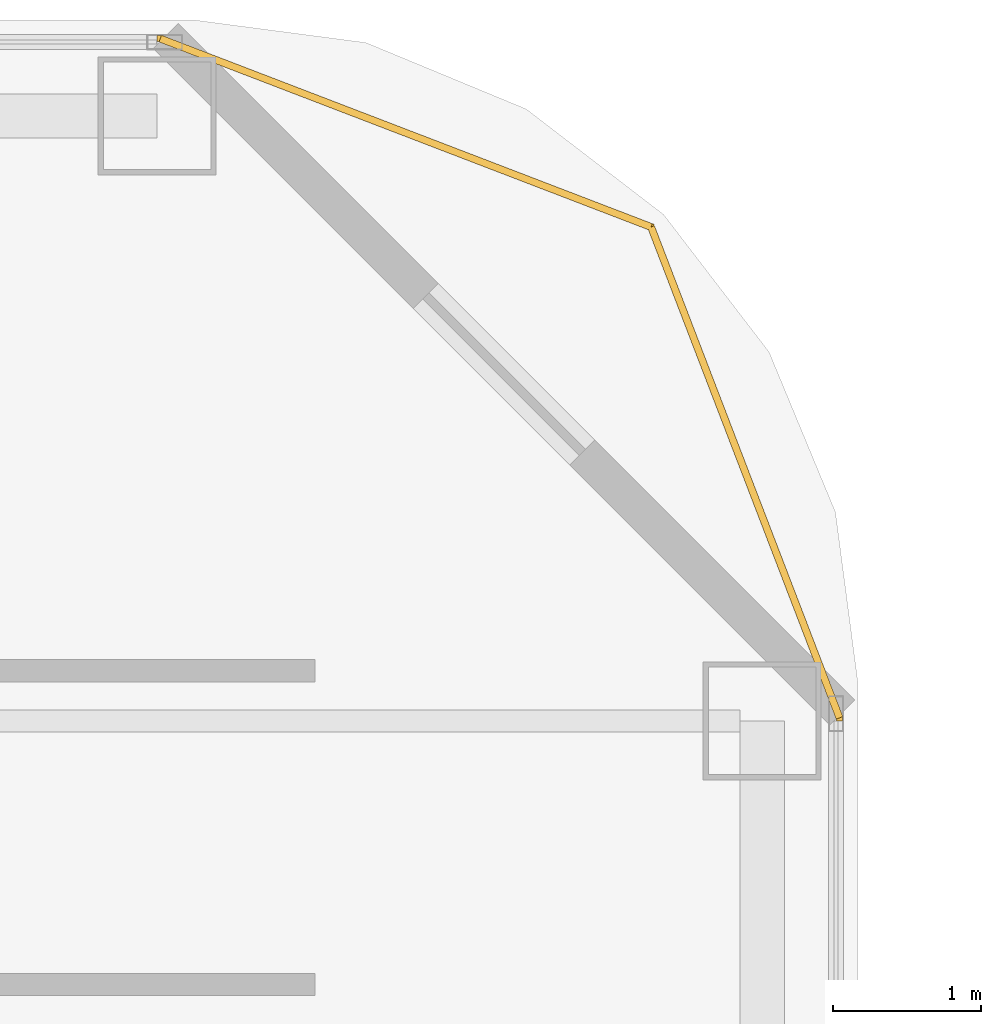
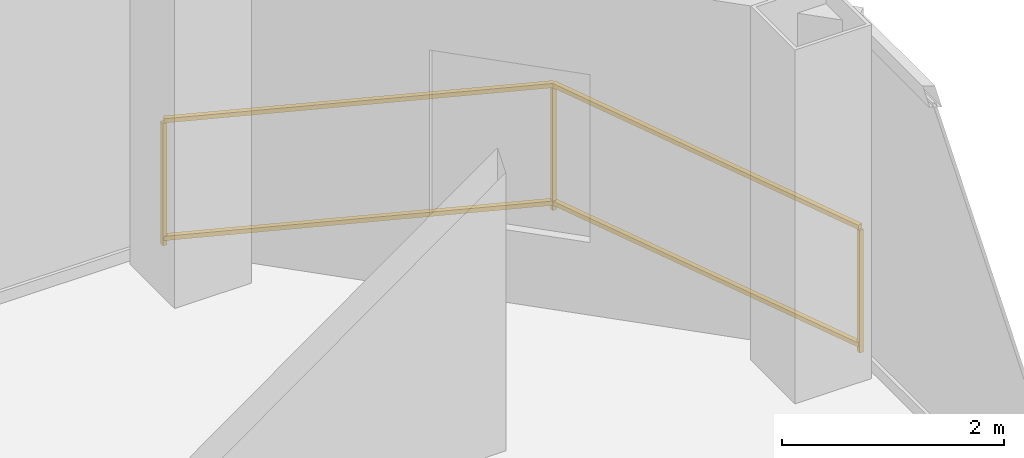
# One storey, part 29 of 29: 1 railing.
"""IFC4 building model written with IfcOpenShell, lengths in metres."""

from ifc_helpers import new_model, si_unit, direction, frame, origin, origin_2d, place, context, subcontext, project, spatial, rectangle, extrude, material, type_object, element, save


model = new_model("IFC4")

# Units and contexts
model_context = context("Model", 3, precision=1e-05, world=origin(), true_north=direction((0.0, 1.0)))
body_context = subcontext(model_context, "Body", "Model", "MODEL_VIEW")
ifc_project = project(units=[si_unit("LENGTHUNIT", "METRE"), si_unit("AREAUNIT", "SQUARE_METRE"), si_unit("VOLUMEUNIT", "CUBIC_METRE"), si_unit("PLANEANGLEUNIT", "RADIAN"), si_unit("MASSUNIT", "GRAM", prefix="KILO")], contexts=[model_context])

# Site, building, storey
site_placement = place(None, origin())
site = spatial("IfcSite", under=ifc_project, at=site_placement, CompositionType="ELEMENT")
building_placement = place(site_placement, origin())
building = spatial("IfcBuilding", under=site, at=building_placement, Name="Khorvyn Point Tower", CompositionType="ELEMENT")
storey_placement = place(building_placement, frame((0.0, 0.0, 54.0)))
storey = spatial("IfcBuildingStorey", under=building, at=storey_placement, Name="L14", CompositionType="ELEMENT", Elevation=54.0)

# Railing
ifc_material = material(Name="Anodised aluminium 6063-T6 and laminated safety glass", Category="aluminium")
railing_type = type_object("IfcRailingType", Name="Laminated Glass and Aluminium Balcony Guardrail 1400", PredefinedType="BALUSTRADE", material=ifc_material)
railing_placement = place(storey_placement, frame((22.174072265625, 20.470703125, 0.0)))
element("IfcRailing", 1, at=railing_placement, inside=storey, type_object=railing_type, Name="L14 Rounded Corner Edge Guardrail NE", PredefinedType="BALUSTRADE", context=body_context, shape_type="SweptSolid", body=[
    extrude(rectangle(XDim=0.048095703125, YDim=0.048095703125, at=origin_2d()), frame((0.0, 0.0, 1.3759765625), z_axis=(-0.358359142172, 0.933583807283, 0.0), x_axis=(-0.933583807283, -0.358359142172, 0.0)), (0.0, 0.0, 1.0), 3.56298828125),
    extrude(rectangle(XDim=0.048095703125, YDim=0.048095703125, at=origin_2d()), frame((0.0, 0.0, 0.080078125), z_axis=(-0.358359142172, 0.933583807283, 0.0), x_axis=(-0.933583807283, -0.358359142172, 0.0)), (0.0, 0.0, 1.0), 3.56298828125),
    extrude(rectangle(XDim=0.048095703125, YDim=0.048095703125, at=origin_2d()), frame((-1.27685546875, 3.326416015625, 1.3759765625), z_axis=(-0.933583807283, 0.358359142172, 0.0), x_axis=(-0.358359142172, -0.933583807283, 0.0)), (0.0, 0.0, 1.0), 3.56298828125),
    extrude(rectangle(XDim=0.048095703125, YDim=0.048095703125, at=origin_2d()), frame((-1.27685546875, 3.326416015625, 0.080078125), z_axis=(-0.933583807283, 0.358359142172, 0.0), x_axis=(-0.358359142172, -0.933583807283, 0.0)), (0.0, 0.0, 1.0), 3.56298828125),
    extrude(rectangle(XDim=0.0419921875, YDim=0.0419921875, at=origin_2d()), origin(), (0.0, 0.0, 1.0), 1.351806640625),
    extrude(rectangle(XDim=0.0419921875, YDim=0.0419921875, at=origin_2d()), frame((-1.27685546875, 3.326416015625, 0.0)), (0.0, 0.0, 1.0), 1.351806640625),
    extrude(rectangle(XDim=0.0419921875, YDim=0.0419921875, at=origin_2d()), frame((-4.603271484375, 4.603271484375, 0.0)), (0.0, 0.0, 1.0), 1.351806640625),
])

save(model, "model.ifc")
